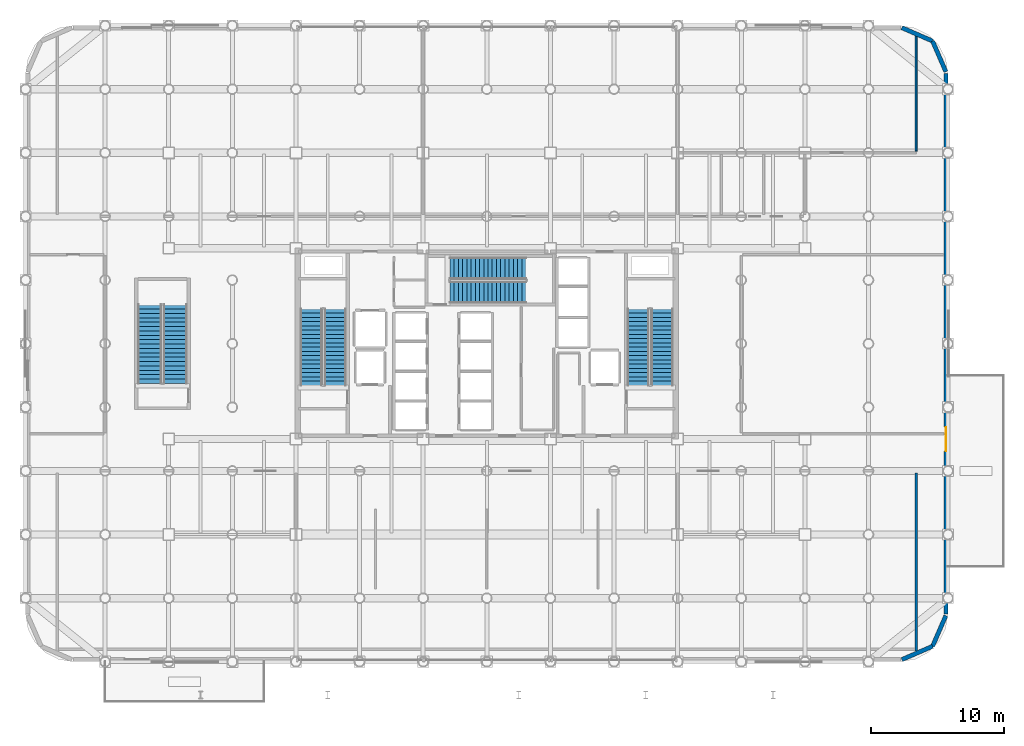
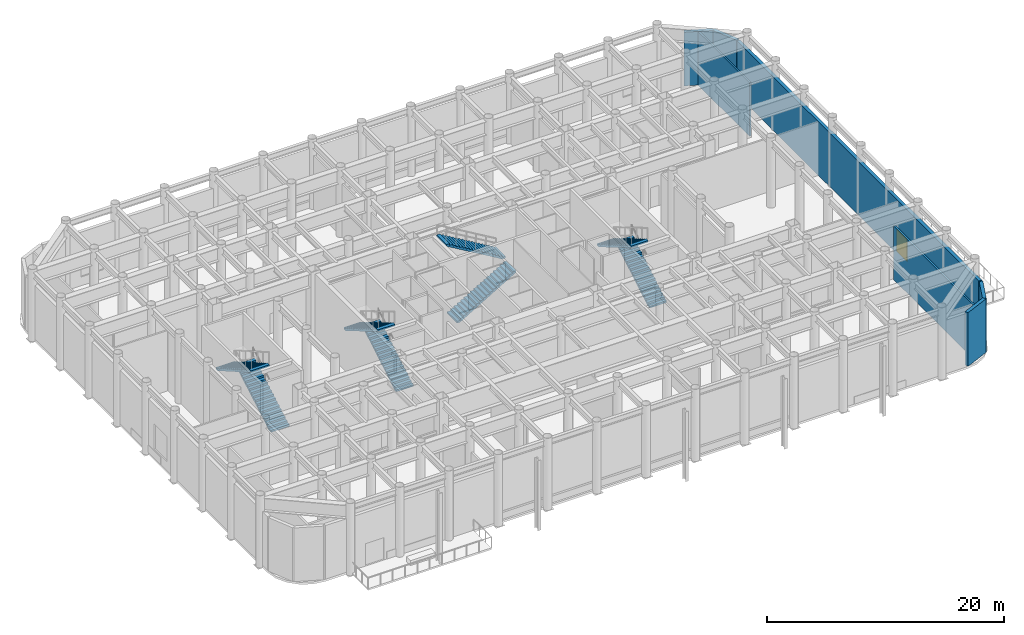
# One storey, part 18 of 23: 8 stair flights, 7 walls, 1 door, 1 opening, 4 elements without a shape of their own.
"""IFC4 building model written with IfcOpenShell, lengths in metres."""

from ifc_helpers import new_model, si_unit, direction, frame, frame_2d, origin, place, context, subcontext, project, spatial, polyline, rectangle, outline, extrude, material, layer, layer_set, type_object, element, fill, aggregate, save


model = new_model("IFC4")

# Units and contexts
model_context = context("Model", 3, precision=1e-05, world=origin(), true_north=direction((0.0, 1.0)))
body_context = subcontext(model_context, "Body", "Model", "MODEL_VIEW")
ifc_project = project(units=[si_unit("LENGTHUNIT", "METRE"), si_unit("AREAUNIT", "SQUARE_METRE"), si_unit("VOLUMEUNIT", "CUBIC_METRE"), si_unit("PLANEANGLEUNIT", "RADIAN"), si_unit("MASSUNIT", "GRAM", prefix="KILO")], contexts=[model_context])

# Site, building, storey
site_placement = place(None, origin())
site = spatial("IfcSite", under=ifc_project, at=site_placement, CompositionType="ELEMENT")
building_placement = place(site_placement, origin())
building = spatial("IfcBuilding", under=site, at=building_placement, Name="Kallvorn Hotel Tower", CompositionType="ELEMENT")
storey_placement = place(building_placement, frame((0.0, 0.0, 12.0)))
storey = spatial("IfcBuildingStorey", under=building, at=storey_placement, Name="L02", CompositionType="ELEMENT", Elevation=12.0)

# Wall
ifc_material_1 = material(Name="Fire-rated double-layer acoustic gypsum drywall EI 60")
ifc_layer_1 = layer(ifc_material_1, 0.179931640625)
ifc_layer_set_1 = layer_set([ifc_layer_1], Name="WL_CORR_180")
wall_type_1 = type_object("IfcWallType", Name="WL_CORR_180", PredefinedType="PARTITIONING", material=ifc_layer_set_1)
wall_1_placement = place(storey_placement, frame((32.39990234375, -23.1982421875, 0.0), z_axis=(0.0, 0.0, 1.0), x_axis=(0.0, 1.0, 0.0)))
element("IfcWall", 1, at=wall_1_placement, inside=storey, type_object=wall_type_1, Name="L02 Cascade Terrace Banquet Salon East Partition", PredefinedType="PARTITIONING", context=body_context, shape_type="SweptSolid", body=[
    extrude(rectangle(XDim=13.4482421875, YDim=0.179931640625, at=frame_2d((6.72412109375, 0.0))), origin(), (0.0, 0.0, 1.0), 5.52001953125),
])

# Wall, opening, door
ifc_material_2 = material(Name="Precast basalt-clad insulated concrete wall C40/50", Category="masonry")
ifc_layer_2 = layer(ifc_material_2, 0.320068359375)
ifc_layer_set_2 = layer_set([ifc_layer_2], Name="WL_EXT_BAY_320")
wall_type_2 = type_object("IfcWallType", Name="WL_EXT_BAY_320", PredefinedType="SOLIDWALL", material=ifc_layer_set_2)
wall_2_placement = place(storey_placement, frame((34.639892578125, 20.39990234375, 0.0), z_axis=(0.0, 0.0, 1.0), x_axis=(0.0, -1.0, 0.0)))
wall_2 = element("IfcWall", 2, at=wall_2_placement, inside=storey, type_object=wall_type_2, Name="L02 Podium Exterior Wall EW-L02-E", PredefinedType="SOLIDWALL", context=body_context, shape_type="SweptSolid", body=[
    extrude(rectangle(XDim=40.7998046875, YDim=0.320068359375, at=frame_2d((20.39990234375, 0.0))), origin(), (0.0, 0.0, 1.0), 5.52001953125),
])
opening_placement = place(wall_2_placement, frame((26.699951171875, 0.0, 0.0)))
opening = element("IfcOpeningElement", 3, at=opening_placement, cuts=wall_2, Name="Opening TD1", PredefinedType="OPENING", context=body_context, shape_type="SweptSolid", body=[
    extrude(rectangle(XDim=1.800048828125, YDim=2.300048828125, at=frame_2d((0.89990234375, 1.14990234375))), frame((0.0, 0.175048828125, 0.0), z_axis=(0.0, -1.0, 0.0), x_axis=(1.0, 0.0, 0.0)), (0.0, 0.0, 1.0), 0.35009765625),
])
ifc_material_3 = material(Name="Double-glazed low-e solar-control dark glass", Category="glass")
door_type = type_object("IfcDoorType", Name="DR_TERR_GLZ_1800x2300", OperationType="DOUBLE_DOOR_SINGLE_SWING", PredefinedType="DOOR", material=ifc_material_3)
door_placement = place(opening_placement, origin())
door = element("IfcDoor", 4, at=door_placement, inside=storey, type_object=door_type, Name="L02 Terrace Garden Access Door 2", OperationType="DOUBLE_DOOR_SINGLE_SWING", OverallHeight=2.300048828125, OverallWidth=1.800048828125, PredefinedType="DOOR", context=body_context, shape_type="SweptSolid", body=[
    extrude(rectangle(XDim=1.800048828125, YDim=2.300048828125, at=frame_2d((0.89990234375, 1.14990234375))), frame((0.0, 0.02490234375, 0.0), z_axis=(0.0, -1.0, 0.0), x_axis=(1.0, 0.0, 0.0)), (0.0, 0.0, 1.0), 0.050048828125),
])
fill(opening, door)

# Walls
wall_3_placement = place(storey_placement, frame((31.320068359375, -23.837890625, 0.0), z_axis=(0.0, 0.0, 1.0), x_axis=(0.917063898521, 0.3987402739, 0.0)))
element("IfcWall", 5, at=wall_3_placement, inside=storey, type_object=wall_type_2, Name="L02 Rounded Corner Exterior Wall SE1", PredefinedType="SOLIDWALL", context=body_context, shape_type="SweptSolid", body=[
    extrude(rectangle(XDim=2.521484375, YDim=0.320068359375, at=frame_2d((1.2607421875, 0.0))), origin(), (0.0, 0.0, 1.0), 5.52001953125),
])
for number, where, z_axis, x_axis, name in (
    (6, (33.63232421875, -22.83251953125, 0.0), (0.0, 0.0, 1.0), (0.398786293654, 0.917043887714, 0.0), "L02 Rounded Corner Exterior Wall SE2"),
    (7, (34.637939453125, 20.52001953125, 0.0), (0.0, 0.0, 1.0), (-0.398786293654, 0.917043887714, 0.0), "L02 Rounded Corner Exterior Wall NE1"),
):
    element("IfcWall", number, at=place(storey_placement, frame(where, z_axis=z_axis, x_axis=x_axis)), inside=storey, type_object=wall_type_2, Name=name, PredefinedType="SOLIDWALL", context=body_context, shape_type="SweptSolid", body=[
        extrude(rectangle(XDim=2.521728515625, YDim=0.320068359375, at=frame_2d((1.2607421875, 0.0))), origin(), (0.0, 0.0, 1.0), 5.52001953125),
    ])
wall_4_placement = place(storey_placement, frame((33.63232421875, 22.83251953125, 0.0), z_axis=(0.0, 0.0, 1.0), x_axis=(-0.917063898521, 0.3987402739, 0.0)))
element("IfcWall", 8, at=wall_4_placement, inside=storey, type_object=wall_type_2, Name="L02 Rounded Corner Exterior Wall NE2", PredefinedType="SOLIDWALL", context=body_context, shape_type="SweptSolid", body=[
    extrude(rectangle(XDim=2.521484375, YDim=0.320068359375, at=frame_2d((1.2607421875, 0.0))), origin(), (0.0, 0.0, 1.0), 5.52001953125),
])
ifc_material_4 = material(Name="Fire-rated double-layer acoustic gypsum drywall EI 60")
ifc_layer_3 = layer(ifc_material_4, 0.14990234375)
ifc_layer_set_3 = layer_set([ifc_layer_3], Name="WL_PART_150")
wall_type_3 = type_object("IfcWallType", Name="WL_PART_150", PredefinedType="PARTITIONING", material=ifc_layer_set_3)
wall_5_placement = place(storey_placement, frame((32.39990234375, 14.52001953125, 0.0), z_axis=(0.0, 0.0, 1.0), x_axis=(0.0, 1.0, 0.0)))
element("IfcWall", 9, at=wall_5_placement, inside=storey, type_object=wall_type_3, Name="L02 Audio-Visual and Chair Storage Room Partition", PredefinedType="PARTITIONING", context=body_context, shape_type="SweptSolid", body=[
    extrude(rectangle(XDim=8.67822265625, YDim=0.14990234375, at=frame_2d((4.339111328125, 0.0))), origin(), (0.0, 0.0, 1.0), 5.52001953125),
])

# Stair, stair flights
ifc_material_5 = material(Name="Precast concrete C40/50", Category="concrete")
stair_type_1 = type_object("IfcStairType", Name="STR_CORE_DOGLEG", PredefinedType="HALF_TURN_STAIR", material=ifc_material_5)
stair_1_placement = place(storey_placement, origin())
stair_1 = element("IfcStair", 10, at=stair_1_placement, inside=storey, type_object=stair_type_1, Name="L02 Exit stair ST1", PredefinedType="HALF_TURN_STAIR")
ifc_material_6 = material(Name="Precast concrete C40/50", Category="concrete")
stair_flight_type_1 = type_object("IfcStairFlightType", Name="FLT_CORE_1660", PredefinedType="STRAIGHT", material=ifc_material_6)
stair_flight_1_placement = place(storey_placement, frame((-11.429931640625, -3.139892578125, 0.0), z_axis=(0.0, 0.0, 1.0), x_axis=(0.0, 1.0, 0.0)))
stair_flight_1 = element("IfcStairFlight", 11, at=stair_flight_1_placement, type_object=stair_flight_type_1, Name="ST1 flight 1", NumberOfRisers=19, NumberOfTreads=18, PredefinedType="STRAIGHT", RiserHeight=0.189473684, TreadLength=0.32, context=body_context, shape_type="SweptSolid", body=[
    extrude(outline(polyline([(0.0, 0.0), (0.0, 0.189453125), (0.320068359375, 0.189453125), (0.320068359375, 0.37890625), (0.639892578125, 0.37890625), (0.639892578125, 0.568359375), (0.9599609375, 0.568359375), (0.9599609375, 0.7578125), (1.280029296875, 0.7578125), (1.280029296875, 0.947265625), (1.60009765625, 0.947265625), (1.60009765625, 1.136962890625), (1.919921875, 1.136962890625), (1.919921875, 1.326416015625), (2.239990234375, 1.326416015625), (2.239990234375, 1.515869140625), (2.56005859375, 1.515869140625), (2.56005859375, 1.705322265625), (2.8798828125, 1.705322265625), (2.8798828125, 1.894775390625), (3.199951171875, 1.894775390625), (3.199951171875, 2.084228515625), (3.52001953125, 2.084228515625), (3.52001953125, 2.273681640625), (3.840087890625, 2.273681640625), (3.840087890625, 2.463134765625), (4.159912109375, 2.463134765625), (4.159912109375, 2.652587890625), (4.47998046875, 2.652587890625), (4.47998046875, 2.842041015625), (4.800048828125, 2.842041015625), (4.800048828125, 3.031494140625), (5.1201171875, 3.031494140625), (5.1201171875, 3.220947265625), (5.43994140625, 3.220947265625), (5.43994140625, 3.41064453125), (5.760009765625, 3.41064453125), (5.760009765625, 3.60009765625), (5.760009765625, 3.236328125), (0.294189453125, 0.0), (0.0, 0.0)])), frame((0.0, 0.830078125, 0.0), z_axis=(0.0, -1.0, 0.0), x_axis=(1.0, 0.0, 0.0)), (0.0, 0.0, 1.0), 1.659912109375),
])
stair_flight_2_placement = place(storey_placement, frame((-13.22998046875, 2.6201171875, 3.60009765625), z_axis=(0.0, 0.0, 1.0), x_axis=(0.0, -1.0, 0.0)))
stair_flight_2 = element("IfcStairFlight", 12, at=stair_flight_2_placement, type_object=stair_flight_type_1, Name="ST1 flight 2", NumberOfRisers=19, NumberOfTreads=18, PredefinedType="STRAIGHT", RiserHeight=0.189473684, TreadLength=0.32, context=body_context, shape_type="SweptSolid", body=[
    extrude(outline(polyline([(0.0, 0.0), (0.0, 0.189453125), (0.320068359375, 0.189453125), (0.320068359375, 0.37890625), (0.639892578125, 0.37890625), (0.639892578125, 0.568359375), (0.9599609375, 0.568359375), (0.9599609375, 0.7578125), (1.280029296875, 0.7578125), (1.280029296875, 0.947265625), (1.60009765625, 0.947265625), (1.60009765625, 1.136962890625), (1.919921875, 1.136962890625), (1.919921875, 1.326416015625), (2.239990234375, 1.326416015625), (2.239990234375, 1.515869140625), (2.56005859375, 1.515869140625), (2.56005859375, 1.705322265625), (2.8798828125, 1.705322265625), (2.8798828125, 1.894775390625), (3.199951171875, 1.894775390625), (3.199951171875, 2.084228515625), (3.52001953125, 2.084228515625), (3.52001953125, 2.273681640625), (3.840087890625, 2.273681640625), (3.840087890625, 2.463134765625), (4.159912109375, 2.463134765625), (4.159912109375, 2.652587890625), (4.47998046875, 2.652587890625), (4.47998046875, 2.842041015625), (4.800048828125, 2.842041015625), (4.800048828125, 3.031494140625), (5.1201171875, 3.031494140625), (5.1201171875, 3.220947265625), (5.43994140625, 3.220947265625), (5.43994140625, 3.41064453125), (5.760009765625, 3.41064453125), (5.760009765625, 3.60009765625), (5.760009765625, 3.236328125), (0.294189453125, 0.0), (0.0, 0.0)])), frame((0.0, 0.830078125, 0.0), z_axis=(0.0, -1.0, 0.0), x_axis=(1.0, 0.0, 0.0)), (0.0, 0.0, 1.0), 1.659912109375),
])
aggregate(stair_1, [stair_flight_1, stair_flight_2])

stair_2_placement = place(storey_placement, origin())
stair_2 = element("IfcStair", 13, at=stair_2_placement, inside=storey, type_object=stair_type_1, Name="L02 Exit stair ST2", PredefinedType="HALF_TURN_STAIR")
stair_flight_3_placement = place(storey_placement, frame((13.22998046875, -3.139892578125, 0.0), z_axis=(0.0, 0.0, 1.0), x_axis=(0.0, 1.0, 0.0)))
stair_flight_3 = element("IfcStairFlight", 14, at=stair_flight_3_placement, type_object=stair_flight_type_1, Name="ST2 flight 1", NumberOfRisers=19, NumberOfTreads=18, PredefinedType="STRAIGHT", RiserHeight=0.189473684, TreadLength=0.32, context=body_context, shape_type="SweptSolid", body=[
    extrude(outline(polyline([(0.0, 0.0), (0.0, 0.189453125), (0.320068359375, 0.189453125), (0.320068359375, 0.37890625), (0.639892578125, 0.37890625), (0.639892578125, 0.568359375), (0.9599609375, 0.568359375), (0.9599609375, 0.7578125), (1.280029296875, 0.7578125), (1.280029296875, 0.947265625), (1.60009765625, 0.947265625), (1.60009765625, 1.136962890625), (1.919921875, 1.136962890625), (1.919921875, 1.326416015625), (2.239990234375, 1.326416015625), (2.239990234375, 1.515869140625), (2.56005859375, 1.515869140625), (2.56005859375, 1.705322265625), (2.8798828125, 1.705322265625), (2.8798828125, 1.894775390625), (3.199951171875, 1.894775390625), (3.199951171875, 2.084228515625), (3.52001953125, 2.084228515625), (3.52001953125, 2.273681640625), (3.840087890625, 2.273681640625), (3.840087890625, 2.463134765625), (4.159912109375, 2.463134765625), (4.159912109375, 2.652587890625), (4.47998046875, 2.652587890625), (4.47998046875, 2.842041015625), (4.800048828125, 2.842041015625), (4.800048828125, 3.031494140625), (5.1201171875, 3.031494140625), (5.1201171875, 3.220947265625), (5.43994140625, 3.220947265625), (5.43994140625, 3.41064453125), (5.760009765625, 3.41064453125), (5.760009765625, 3.60009765625), (5.760009765625, 3.236328125), (0.294189453125, 0.0), (0.0, 0.0)])), frame((0.0, 0.830078125, 0.0), z_axis=(0.0, -1.0, 0.0), x_axis=(1.0, 0.0, 0.0)), (0.0, 0.0, 1.0), 1.659912109375),
])
stair_flight_4_placement = place(storey_placement, frame((11.429931640625, 2.6201171875, 3.60009765625), z_axis=(0.0, 0.0, 1.0), x_axis=(0.0, -1.0, 0.0)))
stair_flight_4 = element("IfcStairFlight", 15, at=stair_flight_4_placement, type_object=stair_flight_type_1, Name="ST2 flight 2", NumberOfRisers=19, NumberOfTreads=18, PredefinedType="STRAIGHT", RiserHeight=0.189473684, TreadLength=0.32, context=body_context, shape_type="SweptSolid", body=[
    extrude(outline(polyline([(0.0, 0.0), (0.0, 0.189453125), (0.320068359375, 0.189453125), (0.320068359375, 0.37890625), (0.639892578125, 0.37890625), (0.639892578125, 0.568359375), (0.9599609375, 0.568359375), (0.9599609375, 0.7578125), (1.280029296875, 0.7578125), (1.280029296875, 0.947265625), (1.60009765625, 0.947265625), (1.60009765625, 1.136962890625), (1.919921875, 1.136962890625), (1.919921875, 1.326416015625), (2.239990234375, 1.326416015625), (2.239990234375, 1.515869140625), (2.56005859375, 1.515869140625), (2.56005859375, 1.705322265625), (2.8798828125, 1.705322265625), (2.8798828125, 1.894775390625), (3.199951171875, 1.894775390625), (3.199951171875, 2.084228515625), (3.52001953125, 2.084228515625), (3.52001953125, 2.273681640625), (3.840087890625, 2.273681640625), (3.840087890625, 2.463134765625), (4.159912109375, 2.463134765625), (4.159912109375, 2.652587890625), (4.47998046875, 2.652587890625), (4.47998046875, 2.842041015625), (4.800048828125, 2.842041015625), (4.800048828125, 3.031494140625), (5.1201171875, 3.031494140625), (5.1201171875, 3.220947265625), (5.43994140625, 3.220947265625), (5.43994140625, 3.41064453125), (5.760009765625, 3.41064453125), (5.760009765625, 3.60009765625), (5.760009765625, 3.236328125), (0.294189453125, 0.0), (0.0, 0.0)])), frame((0.0, 0.830078125, 0.0), z_axis=(0.0, -1.0, 0.0), x_axis=(1.0, 0.0, 0.0)), (0.0, 0.0, 1.0), 1.659912109375),
])
aggregate(stair_2, [stair_flight_3, stair_flight_4])

stair_3_placement = place(storey_placement, origin())
stair_3 = element("IfcStair", 16, at=stair_3_placement, inside=storey, type_object=stair_type_1, Name="L02 Exit stair ST3", PredefinedType="HALF_TURN_STAIR")
stair_flight_5_placement = place(storey_placement, frame((-2.7900390625, 3.8798828125, 0.0), z_axis=(0.0, 0.0, 1.0), x_axis=(1.0, 0.0, 0.0)))
stair_flight_5 = element("IfcStairFlight", 17, at=stair_flight_5_placement, type_object=stair_flight_type_1, Name="ST3 flight 1", NumberOfRisers=19, NumberOfTreads=18, PredefinedType="STRAIGHT", RiserHeight=0.189473684, TreadLength=0.32, context=body_context, shape_type="SweptSolid", body=[
    extrude(outline(polyline([(0.0, 0.0), (0.0, 0.189453125), (0.320068359375, 0.189453125), (0.320068359375, 0.37890625), (0.639892578125, 0.37890625), (0.639892578125, 0.568359375), (0.9599609375, 0.568359375), (0.9599609375, 0.7578125), (1.280029296875, 0.7578125), (1.280029296875, 0.947265625), (1.60009765625, 0.947265625), (1.60009765625, 1.136962890625), (1.919921875, 1.136962890625), (1.919921875, 1.326416015625), (2.239990234375, 1.326416015625), (2.239990234375, 1.515869140625), (2.56005859375, 1.515869140625), (2.56005859375, 1.705322265625), (2.8798828125, 1.705322265625), (2.8798828125, 1.894775390625), (3.199951171875, 1.894775390625), (3.199951171875, 2.084228515625), (3.52001953125, 2.084228515625), (3.52001953125, 2.273681640625), (3.840087890625, 2.273681640625), (3.840087890625, 2.463134765625), (4.159912109375, 2.463134765625), (4.159912109375, 2.652587890625), (4.47998046875, 2.652587890625), (4.47998046875, 2.842041015625), (4.800048828125, 2.842041015625), (4.800048828125, 3.031494140625), (5.1201171875, 3.031494140625), (5.1201171875, 3.220947265625), (5.43994140625, 3.220947265625), (5.43994140625, 3.41064453125), (5.760009765625, 3.41064453125), (5.760009765625, 3.60009765625), (5.760009765625, 3.236328125), (0.294189453125, 0.0), (0.0, 0.0)])), frame((0.0, 0.830078125, 0.0), z_axis=(0.0, -1.0, 0.0), x_axis=(1.0, 0.0, 0.0)), (0.0, 0.0, 1.0), 1.659912109375),
])
stair_flight_6_placement = place(storey_placement, frame((2.969970703125, 5.679931640625, 3.60009765625), z_axis=(0.0, 0.0, 1.0), x_axis=(-1.0, 0.0, 0.0)))
stair_flight_6 = element("IfcStairFlight", 18, at=stair_flight_6_placement, type_object=stair_flight_type_1, Name="ST3 flight 2", NumberOfRisers=19, NumberOfTreads=18, PredefinedType="STRAIGHT", RiserHeight=0.189473684, TreadLength=0.32, context=body_context, shape_type="SweptSolid", body=[
    extrude(outline(polyline([(0.0, 0.0), (0.0, 0.189453125), (0.320068359375, 0.189453125), (0.320068359375, 0.37890625), (0.639892578125, 0.37890625), (0.639892578125, 0.568359375), (0.9599609375, 0.568359375), (0.9599609375, 0.7578125), (1.280029296875, 0.7578125), (1.280029296875, 0.947265625), (1.60009765625, 0.947265625), (1.60009765625, 1.136962890625), (1.919921875, 1.136962890625), (1.919921875, 1.326416015625), (2.239990234375, 1.326416015625), (2.239990234375, 1.515869140625), (2.56005859375, 1.515869140625), (2.56005859375, 1.705322265625), (2.8798828125, 1.705322265625), (2.8798828125, 1.894775390625), (3.199951171875, 1.894775390625), (3.199951171875, 2.084228515625), (3.52001953125, 2.084228515625), (3.52001953125, 2.273681640625), (3.840087890625, 2.273681640625), (3.840087890625, 2.463134765625), (4.159912109375, 2.463134765625), (4.159912109375, 2.652587890625), (4.47998046875, 2.652587890625), (4.47998046875, 2.842041015625), (4.800048828125, 2.842041015625), (4.800048828125, 3.031494140625), (5.1201171875, 3.031494140625), (5.1201171875, 3.220947265625), (5.43994140625, 3.220947265625), (5.43994140625, 3.41064453125), (5.760009765625, 3.41064453125), (5.760009765625, 3.60009765625), (5.760009765625, 3.236328125), (0.294189453125, 0.0), (0.0, 0.0)])), frame((0.0, 0.830078125, 0.0), z_axis=(0.0, -1.0, 0.0), x_axis=(1.0, 0.0, 0.0)), (0.0, 0.0, 1.0), 1.659912109375),
])
aggregate(stair_3, [stair_flight_5, stair_flight_6])

ifc_material_7 = material(Name="Precast concrete C40/50", Category="concrete")
stair_type_2 = type_object("IfcStairType", Name="STR_POD_DOGLEG", PredefinedType="HALF_TURN_STAIR", material=ifc_material_7)
stair_4_placement = place(storey_placement, origin())
stair_4 = element("IfcStair", 19, at=stair_4_placement, inside=storey, type_object=stair_type_2, Name="L02 Exit stair ST4", PredefinedType="HALF_TURN_STAIR")
ifc_material_8 = material(Name="Precast concrete C40/50", Category="concrete")
stair_flight_type_2 = type_object("IfcStairFlightType", Name="FLT_POD_1800", PredefinedType="STRAIGHT", material=ifc_material_8)
stair_flight_7_placement = place(storey_placement, frame((-23.5, -3.0, 0.0), z_axis=(0.0, 0.0, 1.0), x_axis=(0.0, 1.0, 0.0)))
stair_flight_7 = element("IfcStairFlight", 20, at=stair_flight_7_placement, type_object=stair_flight_type_2, Name="ST4 flight 1", NumberOfRisers=19, NumberOfTreads=18, PredefinedType="STRAIGHT", RiserHeight=0.189473684, TreadLength=0.33, context=body_context, shape_type="SweptSolid", body=[
    extrude(outline(polyline([(0.0, 0.0), (0.0, 0.189453125), (0.330078125, 0.189453125), (0.330078125, 0.37890625), (0.659912109375, 0.37890625), (0.659912109375, 0.568359375), (0.989990234375, 0.568359375), (0.989990234375, 0.7578125), (1.320068359375, 0.7578125), (1.320068359375, 0.947265625), (1.64990234375, 0.947265625), (1.64990234375, 1.136962890625), (1.97998046875, 1.136962890625), (1.97998046875, 1.326416015625), (2.31005859375, 1.326416015625), (2.31005859375, 1.515869140625), (2.639892578125, 1.515869140625), (2.639892578125, 1.705322265625), (2.969970703125, 1.705322265625), (2.969970703125, 1.894775390625), (3.300048828125, 1.894775390625), (3.300048828125, 2.084228515625), (3.6298828125, 2.084228515625), (3.6298828125, 2.273681640625), (3.9599609375, 2.273681640625), (3.9599609375, 2.463134765625), (4.2900390625, 2.463134765625), (4.2900390625, 2.652587890625), (4.6201171875, 2.652587890625), (4.6201171875, 2.842041015625), (4.949951171875, 2.842041015625), (4.949951171875, 3.031494140625), (5.280029296875, 3.031494140625), (5.280029296875, 3.220947265625), (5.610107421875, 3.220947265625), (5.610107421875, 3.41064453125), (5.93994140625, 3.41064453125), (5.93994140625, 3.60009765625), (5.93994140625, 3.23779296875), (0.301025390625, 0.0), (0.0, 0.0)])), frame((0.0, 0.89990234375, 0.0), z_axis=(0.0, -1.0, 0.0), x_axis=(1.0, 0.0, 0.0)), (0.0, 0.0, 1.0), 1.800048828125),
])
stair_flight_8_placement = place(storey_placement, frame((-25.43994140625, 2.93994140625, 3.60009765625), z_axis=(0.0, 0.0, 1.0), x_axis=(0.0, -1.0, 0.0)))
stair_flight_8 = element("IfcStairFlight", 21, at=stair_flight_8_placement, type_object=stair_flight_type_2, Name="ST4 flight 2", NumberOfRisers=19, NumberOfTreads=18, PredefinedType="STRAIGHT", RiserHeight=0.189473684, TreadLength=0.33, context=body_context, shape_type="SweptSolid", body=[
    extrude(outline(polyline([(0.0, 0.0), (0.0, 0.189453125), (0.330078125, 0.189453125), (0.330078125, 0.37890625), (0.659912109375, 0.37890625), (0.659912109375, 0.568359375), (0.989990234375, 0.568359375), (0.989990234375, 0.7578125), (1.320068359375, 0.7578125), (1.320068359375, 0.947265625), (1.64990234375, 0.947265625), (1.64990234375, 1.136962890625), (1.97998046875, 1.136962890625), (1.97998046875, 1.326416015625), (2.31005859375, 1.326416015625), (2.31005859375, 1.515869140625), (2.639892578125, 1.515869140625), (2.639892578125, 1.705322265625), (2.969970703125, 1.705322265625), (2.969970703125, 1.894775390625), (3.300048828125, 1.894775390625), (3.300048828125, 2.084228515625), (3.6298828125, 2.084228515625), (3.6298828125, 2.273681640625), (3.9599609375, 2.273681640625), (3.9599609375, 2.463134765625), (4.2900390625, 2.463134765625), (4.2900390625, 2.652587890625), (4.6201171875, 2.652587890625), (4.6201171875, 2.842041015625), (4.949951171875, 2.842041015625), (4.949951171875, 3.031494140625), (5.280029296875, 3.031494140625), (5.280029296875, 3.220947265625), (5.610107421875, 3.220947265625), (5.610107421875, 3.41064453125), (5.93994140625, 3.41064453125), (5.93994140625, 3.60009765625), (5.93994140625, 3.23779296875), (0.301025390625, 0.0), (0.0, 0.0)])), frame((0.0, 0.89990234375, 0.0), z_axis=(0.0, -1.0, 0.0), x_axis=(1.0, 0.0, 0.0)), (0.0, 0.0, 1.0), 1.800048828125),
])
aggregate(stair_4, [stair_flight_7, stair_flight_8])

save(model, "model.ifc")
